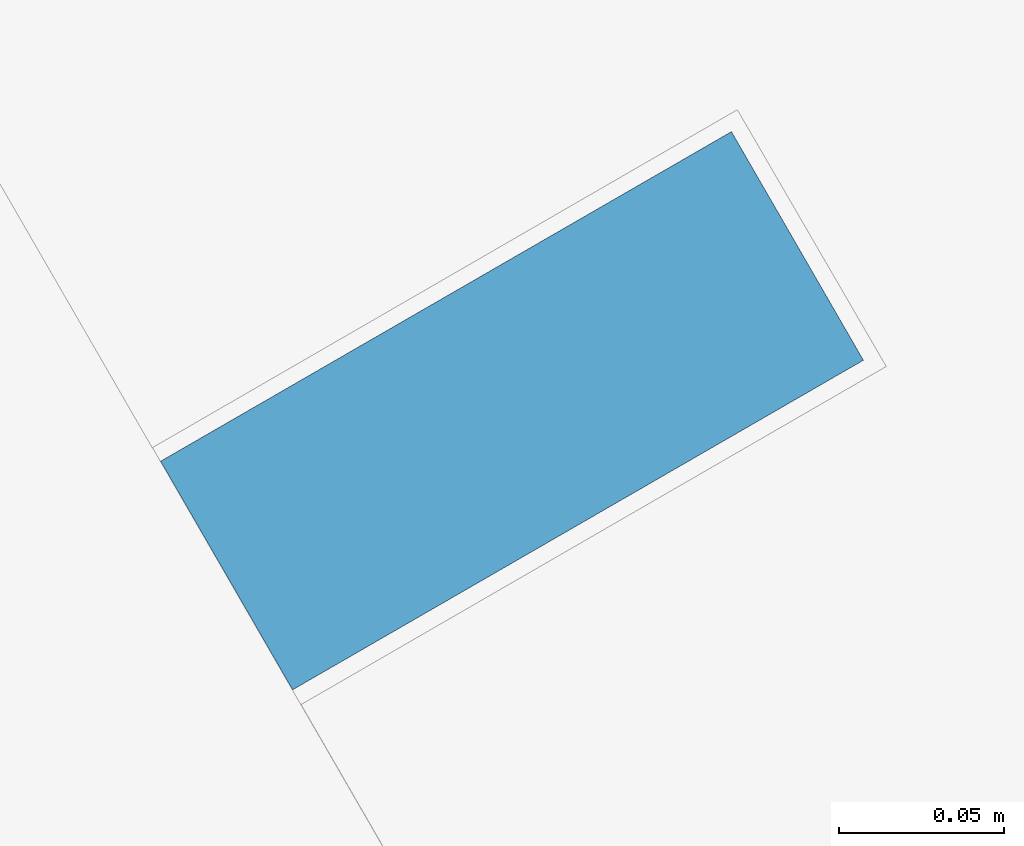
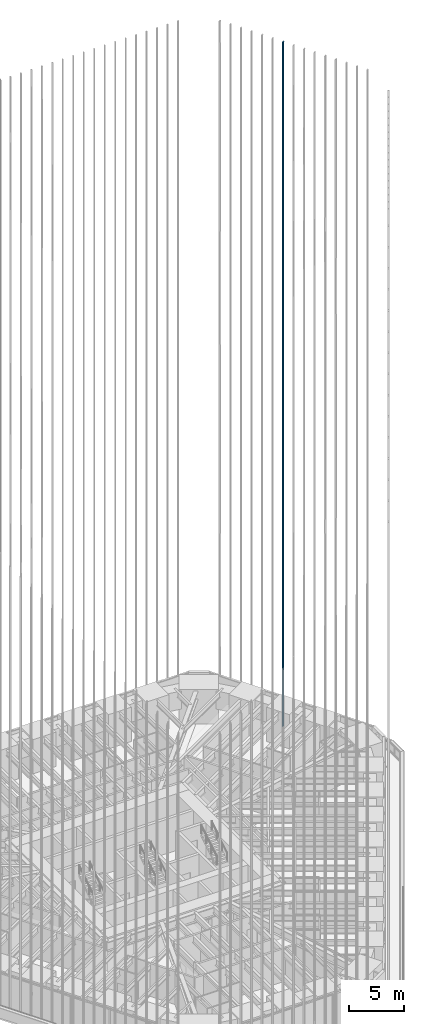
# One storey, part 187 of 238: 1 member, 1 element without a shape of its own.
"""IFC4 building model written with IfcOpenShell, lengths in metres."""

from ifc_helpers import new_model, si_unit, direction, frame, origin, origin_2d, place, context, subcontext, project, spatial, rectangle, extrude, material, material_profile, profile_set, type_object, element, aggregate, save


model = new_model("IFC4")

# Units and contexts
model_context = context("Model", 3, precision=1e-05, world=origin(), true_north=direction((0.0, 1.0)))
body_context = subcontext(model_context, "Body", "Model", "MODEL_VIEW")
ifc_project = project(units=[si_unit("LENGTHUNIT", "METRE"), si_unit("AREAUNIT", "SQUARE_METRE"), si_unit("VOLUMEUNIT", "CUBIC_METRE"), si_unit("PLANEANGLEUNIT", "RADIAN"), si_unit("MASSUNIT", "GRAM", prefix="KILO")], contexts=[model_context])

# Site, building, storey
site_placement = place(None, origin())
site = spatial("IfcSite", under=ifc_project, at=site_placement, CompositionType="ELEMENT")
building_placement = place(site_placement, origin())
building = spatial("IfcBuilding", under=site, at=building_placement, Name="Sandreach Pilgrim Tower", CompositionType="ELEMENT")
storey_placement = place(building_placement, frame((0.0, 0.0, 96.800048828125)))
storey = spatial("IfcBuildingStorey", under=building, at=storey_placement, Name="L23", CompositionType="ELEMENT", Elevation=96.800048828125)

# Curtain wall, member
ifc_material_1 = material(Name="Aluminium framed curtain wall", Category="aluminium")
curtain_wall_type = type_object("IfcCurtainWallType", Name="Hotel tower curtain wall", PredefinedType="NOTDEFINED", material=ifc_material_1)
curtain_wall_placement = place(storey_placement, origin())
curtain_wall = element("IfcCurtainWall", 1, at=curtain_wall_placement, inside=storey, type_object=curtain_wall_type, Name="CW-2 L23 NE", PredefinedType="NOTDEFINED")
ifc_material_2 = material(Name="Extruded terracotta on aluminium core", Category="masonry")
ifc_material_profile = material_profile(ifc_material_2, rectangle(XDim=0.080078125, YDim=0.199951171875, at=origin_2d()), Name="TBE 80X200")
ifc_profile_set = profile_set([ifc_material_profile], Name="Extruded terracotta on aluminium core")
member_type = type_object("IfcMemberType", Name="Terracotta baguette east", PredefinedType="USERDEFINED", material=ifc_profile_set)
member_placement = place(storey_placement, frame((24.208984375, 15.25341796875, 0.0), z_axis=(0.0, 0.0, 1.0), x_axis=(0.5, -0.866025403784, 0.0)))
member = element("IfcMember", 2, at=member_placement, type_object=member_type, Name="Baguette Z2 NE07", ObjectType="BAGUETTE", PredefinedType="USERDEFINED", context=body_context, shape_type="SweptSolid", body=[
    extrude(rectangle(XDim=0.080078125, YDim=0.199951171875, at=origin_2d()), origin(), (0.0, 0.0, 1.0), 75.83984375),
])
aggregate(curtain_wall, [member])

save(model, "model.ifc")
